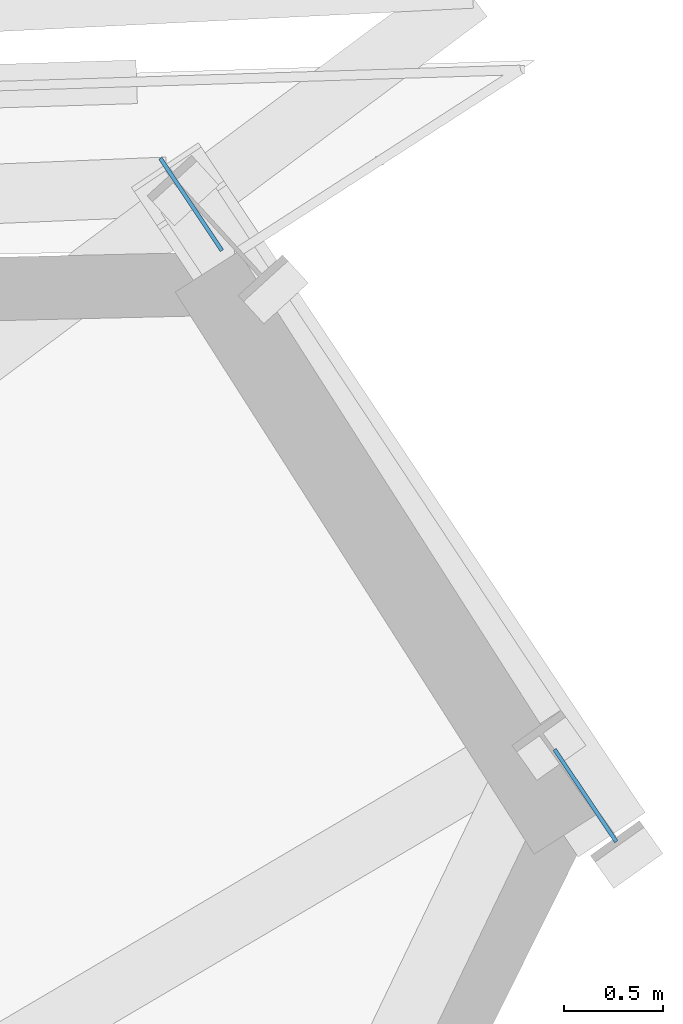
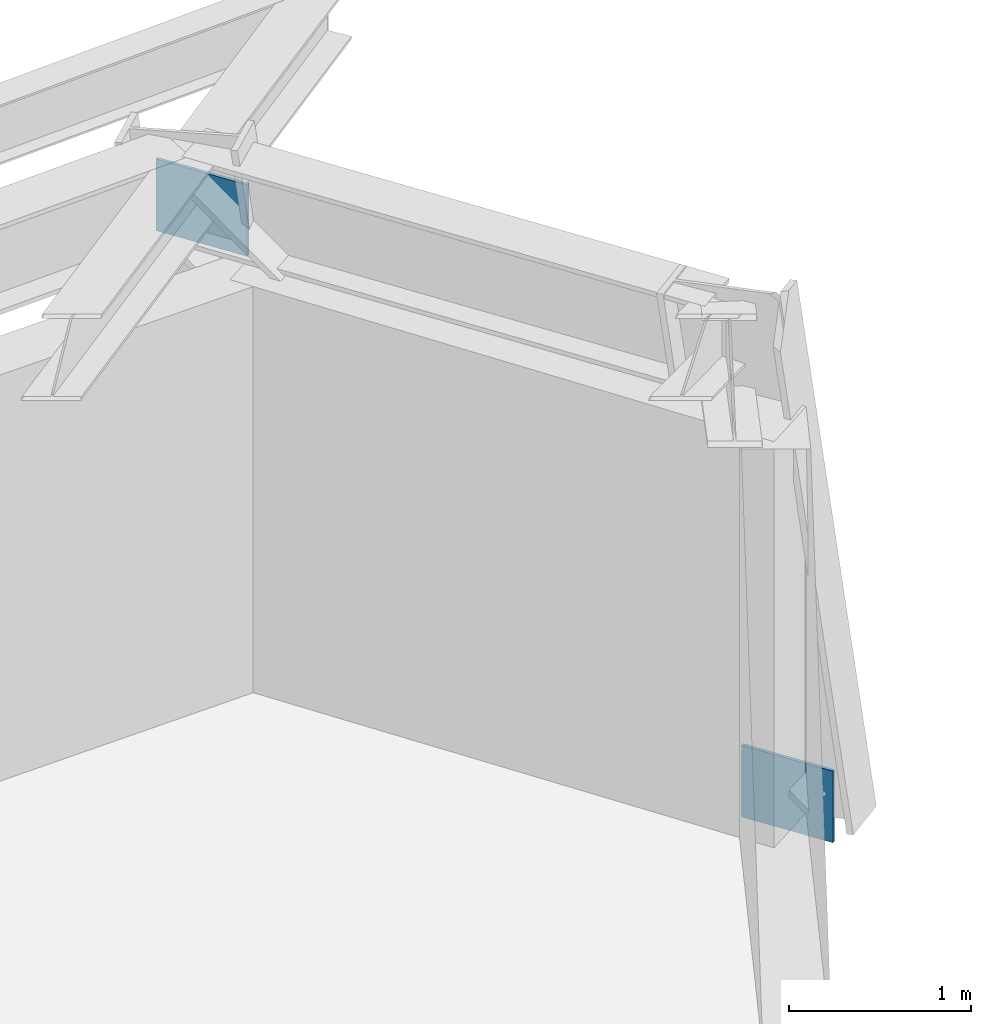
# One storey, part 6 of 13: 2 plates.
"""IFC4 building model written with IfcOpenShell, lengths in metres."""

from ifc_helpers import new_model, si_unit, direction, frame, origin, origin_2d, place, context, subcontext, project, spatial, rectangle, extrude, source, transform, mapped, material, type_object, element, save


model = new_model("IFC4")

# Units and contexts
model_context = context("Model", 3, precision=1e-05, world=origin(), true_north=direction((0.0, 1.0)))
body_context = subcontext(model_context, "Body", "Model", "MODEL_VIEW")
ifc_project = project(units=[si_unit("LENGTHUNIT", "METRE"), si_unit("AREAUNIT", "SQUARE_METRE"), si_unit("VOLUMEUNIT", "CUBIC_METRE"), si_unit("PLANEANGLEUNIT", "RADIAN"), si_unit("MASSUNIT", "GRAM", prefix="KILO")], contexts=[model_context])

# Site, building, storey
site_placement = place(None, origin())
site = spatial("IfcSite", under=ifc_project, at=site_placement, CompositionType="ELEMENT")
building_placement = place(site_placement, origin())
building = spatial("IfcBuilding", under=site, at=building_placement, Name="Olszyna Solenne Hotel", CompositionType="ELEMENT")
storey_placement = place(building_placement, frame((0.0, 0.0, 167.89990234375)))
storey = spatial("IfcBuildingStorey", under=building, at=storey_placement, Name="L44", CompositionType="ELEMENT", Elevation=167.89990234375)

# Plates
ifc_material = material(Name="Steel S355J2", Category="steel")
plate_type = type_object("IfcPlateType", Name="GP-ND2", PredefinedType="USERDEFINED", material=ifc_material)
shared_shape = source(origin(), body_context, "Body", "SweptSolid", [
    extrude(rectangle(XDim=0.56005859375, YDim=0.02001953125, at=origin_2d()), origin(), (0.0, 0.0, 1.0), 0.47998046875),
])
for number, where, z_axis, x_axis, name in (
    (1, (63.46533203125, 41.173828125, -0.143310546875), (0.0, 0.0, 1.0), (-0.554844427448, 0.83195412213, 0.0), "Brace end connection gusset plate GP-ND2 EP-BR-L44-1-1"),
    (2, (61.474609375, 44.15869140625, 2.673583984375), (0.0, 0.0, 1.0), (-0.554844427448, 0.83195412213, 0.0), "Brace end connection gusset plate GP-ND2 EP-BR-L44-1-2"),
):
    element("IfcPlate", number, at=place(storey_placement, frame(where, z_axis=z_axis, x_axis=x_axis)), inside=storey, type_object=plate_type, Name=name, ObjectType="GUSSET_PLATE", PredefinedType="USERDEFINED", context=body_context, shape_type="MappedRepresentation", body=[
        mapped(shared_shape, transform((0.0, 0.0, 0.0), x_axis=(1.0, 0.0, 0.0), y_axis=(0.0, 1.0, 0.0), z_axis=(0.0, 0.0, 1.0), scale=1.0)),
    ])

save(model, "model.ifc")
